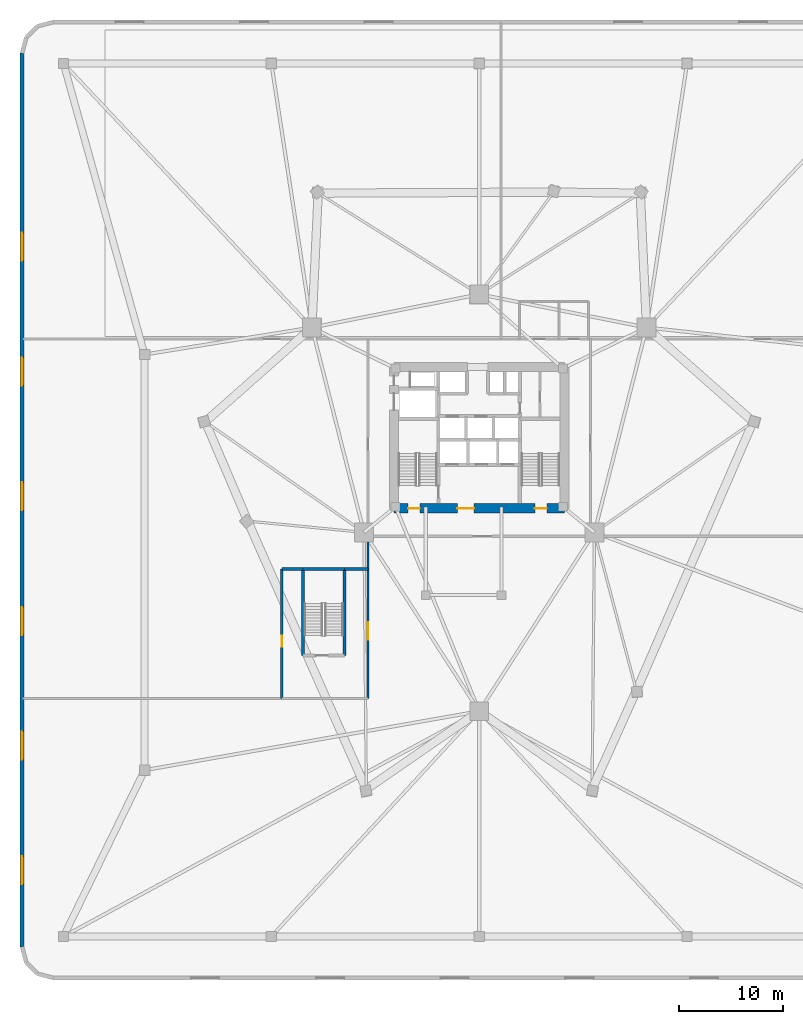
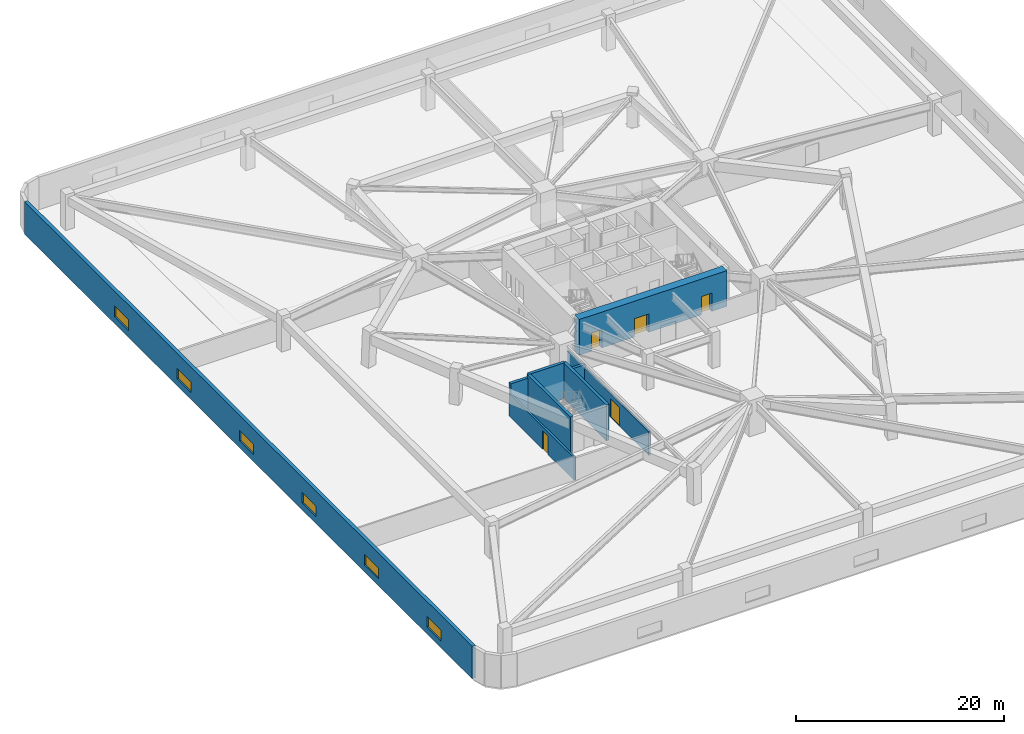
# One storey, part 4 of 10: 9 walls, 6 windows, 5 doors, 11 openings.
"""IFC4 building model written with IfcOpenShell, lengths in metres."""

from ifc_helpers import new_model, si_unit, direction, frame, frame_2d, origin, place, context, subcontext, project, spatial, rectangle, extrude, material, layer, layer_set, type_object, element, fill, save


model = new_model("IFC4")

# Units and contexts
model_context = context("Model", 3, precision=1e-05, world=origin(), true_north=direction((0.0, 1.0)))
body_context = subcontext(model_context, "Body", "Model", "MODEL_VIEW")
ifc_project = project(units=[si_unit("LENGTHUNIT", "METRE"), si_unit("AREAUNIT", "SQUARE_METRE"), si_unit("VOLUMEUNIT", "CUBIC_METRE"), si_unit("PLANEANGLEUNIT", "RADIAN"), si_unit("MASSUNIT", "GRAM", prefix="KILO")], contexts=[model_context])

# Site, building, storey
site_placement = place(None, origin())
site = spatial("IfcSite", under=ifc_project, at=site_placement, CompositionType="ELEMENT")
building_placement = place(site_placement, origin())
building = spatial("IfcBuilding", under=site, at=building_placement, Name="Talyreon Biosciences Tower", CompositionType="ELEMENT")
storey_placement = place(building_placement, frame((0.0, 0.0, 18.60009765625)))
storey = spatial("IfcBuildingStorey", under=building, at=storey_placement, Name="L04", CompositionType="ELEMENT", Elevation=18.60009765625)

# Walls
ifc_material_1 = material(Name="Concrete C50/60", Category="concrete")
ifc_layer_1 = layer(ifc_material_1, 0.320068359375)
ifc_layer_set_1 = layer_set([ifc_layer_1], Name="Concrete C50/60")
wall_type_1 = type_object("IfcWallType", Name="CoreShearWall_320", PredefinedType="SHEAR", material=ifc_layer_set_1)
for number, where, z_axis, x_axis, name in (
    (1, (49.0400390625, 47.0400390625, 0.0), (0.0, 0.0, 1.0), (0.0, 1.0, 0.0), "L04 Stair ST-3 Structural Wall W"),
    (2, (53.0400390625, 47.0400390625, 0.0), (0.0, 0.0, 1.0), (0.0, 1.0, 0.0), "L04 Stair ST-3 Structural Wall E"),
):
    element("IfcWall", number, at=place(storey_placement, frame(where, z_axis=z_axis, x_axis=x_axis)), inside=storey, type_object=wall_type_1, Name=name, PredefinedType="SHEAR", context=body_context, shape_type="SweptSolid", body=[
        extrude(rectangle(XDim=8.320068359375, YDim=0.320068359375, at=frame_2d((4.16015625, 0.0))), origin(), (0.0, 0.0, 1.0), 4.199951171875),
    ])
wall_1_placement = place(storey_placement, frame((49.0400390625, 55.360107421875, 0.0), z_axis=(0.0, 0.0, 1.0), x_axis=(1.0, 0.0, 0.0)))
element("IfcWall", 3, at=wall_1_placement, inside=storey, type_object=wall_type_1, Name="L04 Stair ST-3 Structural Wall N", PredefinedType="SHEAR", context=body_context, shape_type="SweptSolid", body=[
    extrude(rectangle(XDim=4.0, YDim=0.320068359375, at=frame_2d((2.0, 0.0))), origin(), (0.0, 0.0, 1.0), 4.199951171875),
])

# Wall, openings, doors
ifc_material_2 = material(Name="Concrete C60/75", Category="concrete")
ifc_layer_2 = layer(ifc_material_2, 0.89990234375)
ifc_layer_set_2 = layer_set([ifc_layer_2], Name="Concrete C60/75")
wall_type_2 = type_object("IfcWallType", Name="CoreShearWall_900", PredefinedType="SHEAR", material=ifc_layer_set_2)
wall_2_placement = place(storey_placement, frame((57.800048828125, 61.199951171875, 0.0), z_axis=(0.0, 0.0, 1.0), x_axis=(1.0, 0.0, 0.0)))
wall_2 = element("IfcWall", 4, at=wall_2_placement, inside=storey, type_object=wall_type_2, Name="L04 Core Shear Wall S", PredefinedType="SHEAR", context=body_context, shape_type="SweptSolid", body=[
    extrude(rectangle(XDim=16.39990234375, YDim=0.89990234375, at=frame_2d((8.199951171875, 0.0))), origin(), (0.0, 0.0, 1.0), 4.199951171875),
])
opening_1_placement = place(wall_2_placement, frame((1.35009765625, 0.0, 0.0)))
opening_1 = element("IfcOpeningElement", 5, at=opening_1_placement, cuts=wall_2, Name="Opening DR-L04-ST1", PredefinedType="OPENING", context=body_context, shape_type="SweptSolid", body=[
    extrude(rectangle(XDim=1.14990234375, YDim=2.14990234375, at=frame_2d((0.574951171875, 1.074951171875))), frame((0.0, 0.4599609375, 0.0), z_axis=(0.0, -1.0, 0.0), x_axis=(1.0, 0.0, 0.0)), (0.0, 0.0, 1.0), 0.919921875),
])
opening_2_placement = place(wall_2_placement, frame((6.10009765625, 0.0, 0.0)))
opening_2 = element("IfcOpeningElement", 6, at=opening_2_placement, cuts=wall_2, Name="Opening DR-L04-FFL", PredefinedType="OPENING", context=body_context, shape_type="SweptSolid", body=[
    extrude(rectangle(XDim=1.60009765625, YDim=2.14990234375, at=frame_2d((0.800048828125, 1.074951171875))), frame((0.0, 0.4599609375, 0.0), z_axis=(0.0, -1.0, 0.0), x_axis=(1.0, 0.0, 0.0)), (0.0, 0.0, 1.0), 0.919921875),
])
opening_3_placement = place(wall_2_placement, frame((13.550048828125, 0.0, 0.0)))
opening_3 = element("IfcOpeningElement", 7, at=opening_3_placement, cuts=wall_2, Name="Opening DR-L04-ST2", PredefinedType="OPENING", context=body_context, shape_type="SweptSolid", body=[
    extrude(rectangle(XDim=1.14990234375, YDim=2.14990234375, at=frame_2d((0.574951171875, 1.074951171875))), frame((0.0, 0.4599609375, 0.0), z_axis=(0.0, -1.0, 0.0), x_axis=(1.0, 0.0, 0.0)), (0.0, 0.0, 1.0), 0.919921875),
])
ifc_material_3 = material(Name="Painted steel smoke-seal fire door", Category="steel")
door_type_1 = type_object("IfcDoorType", Name="FirefightingLobbyDoubleDoor_1600x2150", OperationType="DOUBLE_DOOR_SINGLE_SWING", PredefinedType="DOOR", material=ifc_material_3)
door_1_placement = place(opening_2_placement, origin())
door_1 = element("IfcDoor", 8, at=door_1_placement, inside=storey, type_object=door_type_1, Name="L04 Core Door DR-L04-FFL", OperationType="DOUBLE_DOOR_SINGLE_SWING", OverallHeight=2.14990234375, OverallWidth=1.60009765625, PredefinedType="DOOR", context=body_context, shape_type="SweptSolid", body=[
    extrude(rectangle(XDim=1.60009765625, YDim=2.14990234375, at=frame_2d((0.800048828125, 1.074951171875))), frame((0.0, 0.02490234375, 0.0), z_axis=(0.0, -1.0, 0.0), x_axis=(1.0, 0.0, 0.0)), (0.0, 0.0, 1.0), 0.050048828125),
])
fill(opening_2, door_1)
ifc_material_4 = material(Name="Painted steel fire door", Category="steel")
door_type_2 = type_object("IfcDoorType", Name="StairShaftFireDoor_1150x2150", OperationType="NOTDEFINED", PredefinedType="DOOR", material=ifc_material_4)
door_2_placement = place(opening_1_placement, origin())
door_2 = element("IfcDoor", 9, at=door_2_placement, inside=storey, type_object=door_type_2, Name="L04 Core Door DR-L04-ST1", OperationType="SINGLE_SWING_LEFT", OverallHeight=2.14990234375, OverallWidth=1.14990234375, PredefinedType="DOOR", context=body_context, shape_type="SweptSolid", body=[
    extrude(rectangle(XDim=1.14990234375, YDim=2.14990234375, at=frame_2d((0.574951171875, 1.074951171875))), frame((0.0, 0.02490234375, 0.0), z_axis=(0.0, -1.0, 0.0), x_axis=(1.0, 0.0, 0.0)), (0.0, 0.0, 1.0), 0.050048828125),
])
fill(opening_1, door_2)
door_3_placement = place(opening_3_placement, origin())
door_3 = element("IfcDoor", 10, at=door_3_placement, inside=storey, type_object=door_type_2, Name="L04 Core Door DR-L04-ST2", OperationType="SINGLE_SWING_RIGHT", OverallHeight=2.14990234375, OverallWidth=1.14990234375, PredefinedType="DOOR", context=body_context, shape_type="SweptSolid", body=[
    extrude(rectangle(XDim=1.14990234375, YDim=2.14990234375, at=frame_2d((0.574951171875, 1.074951171875))), frame((0.0, 0.02490234375, 0.0), z_axis=(0.0, -1.0, 0.0), x_axis=(1.0, 0.0, 0.0)), (0.0, 0.0, 1.0), 0.050048828125),
])
fill(opening_3, door_3)

# Wall, opening, door
ifc_material_5 = material(Name="Gypsum fireboard acoustic stud", Category="gypsum")
ifc_layer_3 = layer(ifc_material_5, 0.219970703125)
ifc_layer_set_3 = layer_set([ifc_layer_3], Name="Gypsum fireboard acoustic stud")
wall_type_3 = type_object("IfcWallType", Name="CorridorRatedPartition_220", PredefinedType="PARTITIONING", material=ifc_layer_set_3)
wall_3_placement = place(storey_placement, frame((47.0, 42.89990234375, 0.0), z_axis=(0.0, 0.0, 1.0), x_axis=(0.0, 1.0, 0.0)))
wall_3 = element("IfcWall", 11, at=wall_3_placement, inside=storey, type_object=wall_type_3, Name="L04 Interior Wall IW-L04-SCORW", PredefinedType="PARTITIONING", context=body_context, shape_type="SweptSolid", body=[
    extrude(rectangle(XDim=12.460205078125, YDim=0.219970703125, at=frame_2d((6.22998046875, 0.0))), origin(), (0.0, 0.0, 1.0), 2.6298828125),
])
opening_4_placement = place(wall_3_placement, frame((4.97509765625, 0.0, 0.0)))
opening_4 = element("IfcOpeningElement", 12, at=opening_4_placement, cuts=wall_3, Name="Opening DR-L04-WW-S", PredefinedType="OPENING", context=body_context, shape_type="SweptSolid", body=[
    extrude(rectangle(XDim=1.050048828125, YDim=2.14990234375, at=frame_2d((0.52490234375, 1.074951171875))), frame((0.0, 0.119873046875, 0.0), z_axis=(0.0, -1.0, 0.0), x_axis=(1.0, 0.0, 0.0)), (0.0, 0.0, 1.0), 0.239990234375),
])
ifc_material_6 = material(Name="Acoustic timber-core laboratory door", Category="wood")
door_type_3 = type_object("IfcDoorType", Name="DryLabSingleDoor_1050x2150", OperationType="NOTDEFINED", PredefinedType="DOOR", material=ifc_material_6)
door_4_placement = place(opening_4_placement, origin())
door_4 = element("IfcDoor", 13, at=door_4_placement, inside=storey, type_object=door_type_3, Name="L04 Interior Door DR-L04-WW-S", OperationType="SINGLE_SWING_LEFT", OverallHeight=2.14990234375, OverallWidth=1.050048828125, PredefinedType="DOOR", context=body_context, shape_type="SweptSolid", body=[
    extrude(rectangle(XDim=1.050048828125, YDim=2.14990234375, at=frame_2d((0.52490234375, 1.074951171875))), frame((0.0, 0.02490234375, 0.0), z_axis=(0.0, -1.0, 0.0), x_axis=(1.0, 0.0, 0.0)), (0.0, 0.0, 1.0), 0.050048828125),
])
fill(opening_4, door_4)

wall_4_placement = place(storey_placement, frame((55.300048828125, 42.89990234375, 0.0), z_axis=(0.0, 0.0, 1.0), x_axis=(0.0, 1.0, 0.0)))
wall_4 = element("IfcWall", 14, at=wall_4_placement, inside=storey, type_object=wall_type_3, Name="L04 Interior Wall IW-L04-SCOR", PredefinedType="PARTITIONING", context=body_context, shape_type="SweptSolid", body=[
    extrude(rectangle(XDim=15.60009765625, YDim=0.219970703125, at=frame_2d((7.800048828125, 0.0))), origin(), (0.0, 0.0, 1.0), 2.77197265625),
])
opening_5_placement = place(wall_4_placement, frame((5.64990234375, 0.0, 0.0)))
opening_5 = element("IfcOpeningElement", 15, at=opening_5_placement, cuts=wall_4, Name="Opening DR-L04-SW2", PredefinedType="OPENING", context=body_context, shape_type="SweptSolid", body=[
    extrude(rectangle(XDim=1.699951171875, YDim=2.199951171875, at=frame_2d((0.85009765625, 1.10009765625))), frame((0.0, 0.119873046875, 0.0), z_axis=(0.0, -1.0, 0.0), x_axis=(1.0, 0.0, 0.0)), (0.0, 0.0, 1.0), 0.239990234375),
])
ifc_material_7 = material(Name="Acoustic oak seminar double door", Category="wood")
door_type_4 = type_object("IfcDoorType", Name="MeetingSeminarDoubleDoor_1700x2200", OperationType="DOUBLE_DOOR_SINGLE_SWING", PredefinedType="DOOR", material=ifc_material_7)
door_5_placement = place(opening_5_placement, origin())
door_5 = element("IfcDoor", 16, at=door_5_placement, inside=storey, type_object=door_type_4, Name="L04 Interior Door DR-L04-SW2", OperationType="DOUBLE_DOOR_SINGLE_SWING", OverallHeight=2.199951171875, OverallWidth=1.699951171875, PredefinedType="DOOR", context=body_context, shape_type="SweptSolid", body=[
    extrude(rectangle(XDim=1.699951171875, YDim=2.199951171875, at=frame_2d((0.85009765625, 1.10009765625))), frame((0.0, 0.02490234375, 0.0), z_axis=(0.0, -1.0, 0.0), x_axis=(1.0, 0.0, 0.0)), (0.0, 0.0, 1.0), 0.050048828125),
])
fill(opening_5, door_5)

# Wall, openings, windows
ifc_material_8 = material(Name="Precast concrete C45/55", Category="concrete")
ifc_layer_4 = layer(ifc_material_8, 0.3798828125)
ifc_layer_set_4 = layer_set([ifc_layer_4], Name="Precast concrete C45/55")
wall_type_4 = type_object("IfcWallType", Name="PrecastConcretePodiumWall_380", PredefinedType="STANDARD", material=ifc_layer_set_4)
wall_5_placement = place(storey_placement, frame((22.0, 19.0, 0.0), z_axis=(0.0, 0.0, 1.0), x_axis=(0.0, 1.0, 0.0)))
wall_5 = element("IfcWall", 17, at=wall_5_placement, inside=storey, type_object=wall_type_4, Name="L04 Podium Concrete Frame Wall 05", PredefinedType="STANDARD", context=body_context, shape_type="SweptSolid", body=[
    extrude(rectangle(XDim=86.0, YDim=0.3798828125, at=frame_2d((43.0, 0.0))), origin(), (0.0, 0.0, 1.0), 3.7998046875),
])
opening_6_placement = place(wall_5_placement, frame((6.0, 0.0, 0.800048828125)))
opening_6 = element("IfcOpeningElement", 18, at=opening_6_placement, cuts=wall_5, Name="Opening W05", PredefinedType="OPENING", context=body_context, shape_type="SweptSolid", body=[
    extrude(rectangle(XDim=2.699951171875, YDim=1.25, at=frame_2d((1.35009765625, 0.625))), frame((0.0, 0.199951171875, 0.0), z_axis=(0.0, -1.0, 0.0), x_axis=(1.0, 0.0, 0.0)), (0.0, 0.0, 1.0), 0.39990234375),
])
opening_7_placement = place(wall_5_placement, frame((18.0, 0.0, 0.800048828125)))
opening_7 = element("IfcOpeningElement", 19, at=opening_7_placement, cuts=wall_5, Name="Opening W05", PredefinedType="OPENING", context=body_context, shape_type="SweptSolid", body=[
    extrude(rectangle(XDim=2.699951171875, YDim=1.25, at=frame_2d((1.35009765625, 0.625))), frame((0.0, 0.199951171875, 0.0), z_axis=(0.0, -1.0, 0.0), x_axis=(1.0, 0.0, 0.0)), (0.0, 0.0, 1.0), 0.39990234375),
])
opening_8_placement = place(wall_5_placement, frame((30.0, 0.0, 0.800048828125)))
opening_8 = element("IfcOpeningElement", 20, at=opening_8_placement, cuts=wall_5, Name="Opening W05", PredefinedType="OPENING", context=body_context, shape_type="SweptSolid", body=[
    extrude(rectangle(XDim=2.699951171875, YDim=1.25, at=frame_2d((1.35009765625, 0.625))), frame((0.0, 0.199951171875, 0.0), z_axis=(0.0, -1.0, 0.0), x_axis=(1.0, 0.0, 0.0)), (0.0, 0.0, 1.0), 0.39990234375),
])
opening_9_placement = place(wall_5_placement, frame((42.0, 0.0, 0.800048828125)))
opening_9 = element("IfcOpeningElement", 21, at=opening_9_placement, cuts=wall_5, Name="Opening W05", PredefinedType="OPENING", context=body_context, shape_type="SweptSolid", body=[
    extrude(rectangle(XDim=2.699951171875, YDim=1.25, at=frame_2d((1.35009765625, 0.625))), frame((0.0, 0.199951171875, 0.0), z_axis=(0.0, -1.0, 0.0), x_axis=(1.0, 0.0, 0.0)), (0.0, 0.0, 1.0), 0.39990234375),
])
opening_10_placement = place(wall_5_placement, frame((54.0, 0.0, 0.800048828125)))
opening_10 = element("IfcOpeningElement", 22, at=opening_10_placement, cuts=wall_5, Name="Opening W05", PredefinedType="OPENING", context=body_context, shape_type="SweptSolid", body=[
    extrude(rectangle(XDim=2.699951171875, YDim=1.25, at=frame_2d((1.35009765625, 0.625))), frame((0.0, 0.199951171875, 0.0), z_axis=(0.0, -1.0, 0.0), x_axis=(1.0, 0.0, 0.0)), (0.0, 0.0, 1.0), 0.39990234375),
])
opening_11_placement = place(wall_5_placement, frame((66.0, 0.0, 0.800048828125)))
opening_11 = element("IfcOpeningElement", 23, at=opening_11_placement, cuts=wall_5, Name="Opening W05", PredefinedType="OPENING", context=body_context, shape_type="SweptSolid", body=[
    extrude(rectangle(XDim=2.699951171875, YDim=1.25, at=frame_2d((1.35009765625, 0.625))), frame((0.0, 0.199951171875, 0.0), z_axis=(0.0, -1.0, 0.0), x_axis=(1.0, 0.0, 0.0)), (0.0, 0.0, 1.0), 0.39990234375),
])
ifc_material_9 = material(Name="Thermally broken triple low-E aluminium window", Category="aluminium")
window_type = type_object("IfcWindowType", Name="TeachingLabWindow_2700x1250", PartitioningType="TRIPLE_PANEL_VERTICAL", PredefinedType="WINDOW", material=ifc_material_9)
window_1_placement = place(opening_6_placement, origin())
window_1 = element("IfcWindow", 24, at=window_1_placement, inside=storey, type_object=window_type, Name="L04 Podium Facade Window 05.01", OverallHeight=1.25, OverallWidth=2.699951171875, PartitioningType="SINGLE_PANEL", PredefinedType="WINDOW", context=body_context, shape_type="SweptSolid", body=[
    extrude(rectangle(XDim=2.699951171875, YDim=1.25, at=frame_2d((1.35009765625, 0.625))), frame((0.0, 0.030029296875, 0.0), z_axis=(0.0, -1.0, 0.0), x_axis=(1.0, 0.0, 0.0)), (0.0, 0.0, 1.0), 0.06005859375),
])
fill(opening_6, window_1)
window_2_placement = place(opening_7_placement, origin())
window_2 = element("IfcWindow", 25, at=window_2_placement, inside=storey, type_object=window_type, Name="L04 Podium Facade Window 05.02", OverallHeight=1.25, OverallWidth=2.699951171875, PartitioningType="SINGLE_PANEL", PredefinedType="WINDOW", context=body_context, shape_type="SweptSolid", body=[
    extrude(rectangle(XDim=2.699951171875, YDim=1.25, at=frame_2d((1.35009765625, 0.625))), frame((0.0, 0.030029296875, 0.0), z_axis=(0.0, -1.0, 0.0), x_axis=(1.0, 0.0, 0.0)), (0.0, 0.0, 1.0), 0.06005859375),
])
fill(opening_7, window_2)
window_3_placement = place(opening_8_placement, origin())
window_3 = element("IfcWindow", 26, at=window_3_placement, inside=storey, type_object=window_type, Name="L04 Podium Facade Window 05.03", OverallHeight=1.25, OverallWidth=2.699951171875, PartitioningType="SINGLE_PANEL", PredefinedType="WINDOW", context=body_context, shape_type="SweptSolid", body=[
    extrude(rectangle(XDim=2.699951171875, YDim=1.25, at=frame_2d((1.35009765625, 0.625))), frame((0.0, 0.030029296875, 0.0), z_axis=(0.0, -1.0, 0.0), x_axis=(1.0, 0.0, 0.0)), (0.0, 0.0, 1.0), 0.06005859375),
])
fill(opening_8, window_3)
window_4_placement = place(opening_9_placement, origin())
window_4 = element("IfcWindow", 27, at=window_4_placement, inside=storey, type_object=window_type, Name="L04 Podium Facade Window 05.04", OverallHeight=1.25, OverallWidth=2.699951171875, PartitioningType="SINGLE_PANEL", PredefinedType="WINDOW", context=body_context, shape_type="SweptSolid", body=[
    extrude(rectangle(XDim=2.699951171875, YDim=1.25, at=frame_2d((1.35009765625, 0.625))), frame((0.0, 0.030029296875, 0.0), z_axis=(0.0, -1.0, 0.0), x_axis=(1.0, 0.0, 0.0)), (0.0, 0.0, 1.0), 0.06005859375),
])
fill(opening_9, window_4)
window_5_placement = place(opening_10_placement, origin())
window_5 = element("IfcWindow", 28, at=window_5_placement, inside=storey, type_object=window_type, Name="L04 Podium Facade Window 05.05", OverallHeight=1.25, OverallWidth=2.699951171875, PartitioningType="SINGLE_PANEL", PredefinedType="WINDOW", context=body_context, shape_type="SweptSolid", body=[
    extrude(rectangle(XDim=2.699951171875, YDim=1.25, at=frame_2d((1.35009765625, 0.625))), frame((0.0, 0.030029296875, 0.0), z_axis=(0.0, -1.0, 0.0), x_axis=(1.0, 0.0, 0.0)), (0.0, 0.0, 1.0), 0.06005859375),
])
fill(opening_10, window_5)
window_6_placement = place(opening_11_placement, origin())
window_6 = element("IfcWindow", 29, at=window_6_placement, inside=storey, type_object=window_type, Name="L04 Podium Facade Window 05.06", OverallHeight=1.25, OverallWidth=2.699951171875, PartitioningType="SINGLE_PANEL", PredefinedType="WINDOW", context=body_context, shape_type="SweptSolid", body=[
    extrude(rectangle(XDim=2.699951171875, YDim=1.25, at=frame_2d((1.35009765625, 0.625))), frame((0.0, 0.030029296875, 0.0), z_axis=(0.0, -1.0, 0.0), x_axis=(1.0, 0.0, 0.0)), (0.0, 0.0, 1.0), 0.06005859375),
])
fill(opening_11, window_6)

# Walls
ifc_material_10 = material(Name="Concrete C40/50", Category="concrete")
ifc_layer_5 = layer(ifc_material_10, 0.320068359375)
ifc_layer_set_5 = layer_set([ifc_layer_5], Name="Concrete C40/50")
wall_type_5 = type_object("IfcWallType", Name="ShaftCompartmentWall_320", PredefinedType="STANDARD", material=ifc_layer_set_5)
wall_6_placement = place(storey_placement, frame((47.0, 55.360107421875, 0.0), z_axis=(0.0, 0.0, 1.0), x_axis=(1.0, 0.0, 0.0)))
element("IfcWall", 30, at=wall_6_placement, inside=storey, type_object=wall_type_5, Name="L04 Interior Wall IW-L04-ST3L", PredefinedType="STANDARD", context=body_context, shape_type="SweptSolid", body=[
    extrude(rectangle(XDim=2.0400390625, YDim=0.320068359375, at=frame_2d((1.02001953125, 0.0))), origin(), (0.0, 0.0, 1.0), 3.7998046875),
])
wall_7_placement = place(storey_placement, frame((53.0400390625, 55.360107421875, 0.0), z_axis=(0.0, 0.0, 1.0), x_axis=(1.0, 0.0, 0.0)))
element("IfcWall", 31, at=wall_7_placement, inside=storey, type_object=wall_type_5, Name="L04 Interior Wall IW-L04-ST3R", PredefinedType="STANDARD", context=body_context, shape_type="SweptSolid", body=[
    extrude(rectangle(XDim=2.260009765625, YDim=0.320068359375, at=frame_2d((1.1298828125, 0.0))), origin(), (0.0, 0.0, 1.0), 3.179931640625),
])

save(model, "model.ifc")
